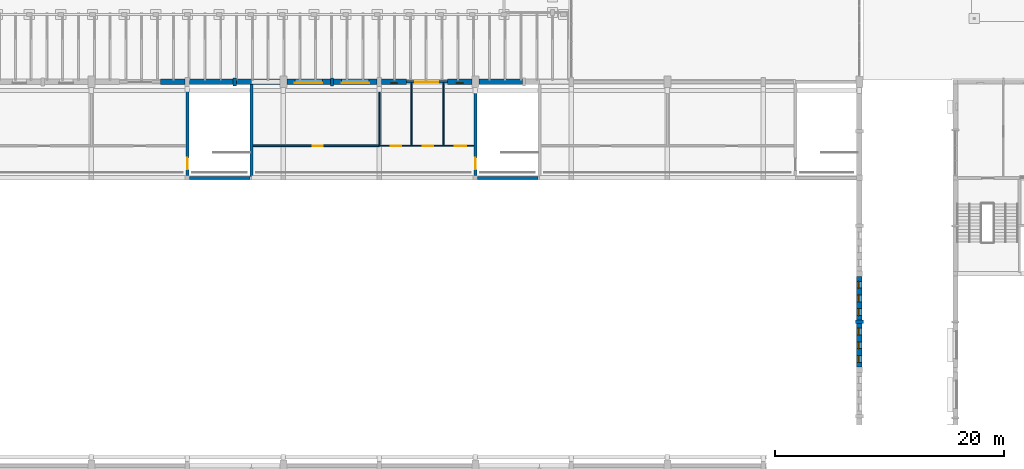
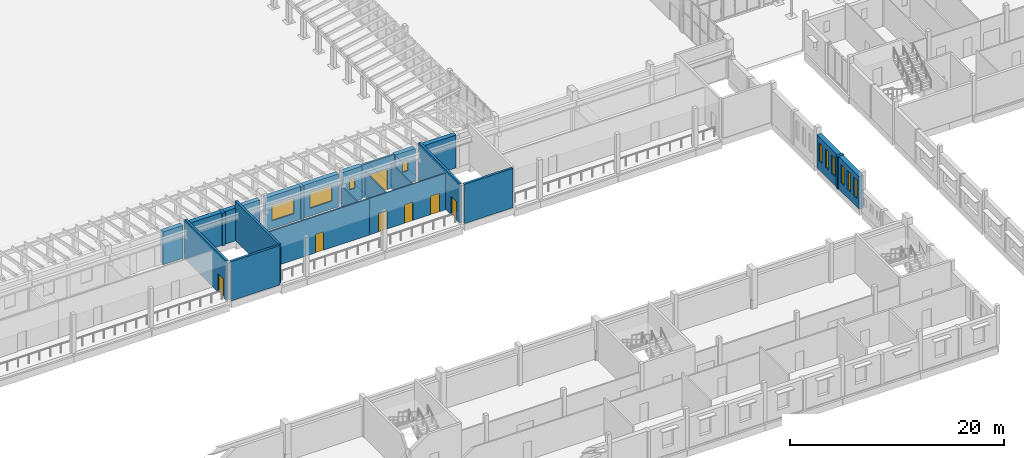
# One storey, part 38 of 60: 24 walls, 10 windows, 7 doors, 17 openings.
"""IFC4 building model written with IfcOpenShell, lengths in metres."""

from ifc_helpers import new_model, si_unit, direction, frame, frame_2d, origin, place, context, subcontext, project, spatial, rectangle, extrude, material, layer, layer_set, type_object, element, fill, save


model = new_model("IFC4")

# Units and contexts
model_context = context("Model", 3, precision=1e-05, world=origin(), true_north=direction((0.0, 1.0)))
body_context = subcontext(model_context, "Body", "Model", "MODEL_VIEW")
ifc_project = project(units=[si_unit("LENGTHUNIT", "METRE"), si_unit("AREAUNIT", "SQUARE_METRE"), si_unit("VOLUMEUNIT", "CUBIC_METRE"), si_unit("PLANEANGLEUNIT", "RADIAN"), si_unit("MASSUNIT", "GRAM", prefix="KILO")], contexts=[model_context])

# Site, building, storey
site_placement = place(None, origin())
site = spatial("IfcSite", under=ifc_project, at=site_placement, CompositionType="ELEMENT")
building_placement = place(site_placement, origin())
building = spatial("IfcBuilding", under=site, at=building_placement, Name="Fescue Hill Polytechnic", CompositionType="ELEMENT")
storey_placement = place(building_placement, frame((0.0, 0.0, 4.5)))
storey = spatial("IfcBuildingStorey", under=building, at=storey_placement, Name="L01", CompositionType="ELEMENT", Elevation=4.5)

# Wall, opening, door
ifc_material_1 = material(Name="Concrete 40 MPa", Category="concrete")
ifc_layer_1 = layer(ifc_material_1, 0.25)
ifc_layer_set_1 = layer_set([ifc_layer_1], Name="Concrete 40 MPa")
wall_type_1 = type_object("IfcWallType", Name="Core wall 250", PredefinedType="SHEAR", material=ifc_layer_set_1)
wall_1_placement = place(storey_placement, frame((58.800048828125, 42.199951171875, 0.0), z_axis=(0.0, 0.0, 1.0), x_axis=(0.0, 1.0, 0.0)))
wall_1 = element("IfcWall", 1, at=wall_1_placement, inside=storey, type_object=wall_type_1, Name="CW-L01-ST-V1-7-31", PredefinedType="SHEAR", context=body_context, shape_type="SweptSolid", body=[
    extrude(rectangle(XDim=7.800048828125, YDim=0.25, at=frame_2d((3.89990234375, 0.0))), origin(), (0.0, 0.0, 1.0), 4.5),
])
opening_1_placement = place(wall_1_placement, frame((0.550048828125, 0.0, 0.0)))
opening_1 = element("IfcOpeningElement", 2, at=opening_1_placement, cuts=wall_1, Name="Opening D1083", PredefinedType="OPENING", context=body_context, shape_type="SweptSolid", body=[
    extrude(rectangle(XDim=1.0, YDim=2.10009765625, at=frame_2d((0.5, 1.050048828125))), frame((0.0, 0.135009765625, 0.0), z_axis=(0.0, -1.0, 0.0), x_axis=(1.0, 0.0, 0.0)), (0.0, 0.0, 1.0), 0.27001953125),
])
ifc_material_2 = material(Name="Steel fire door", Category="steel")
door_type_1 = type_object("IfcDoorType", Name="Door single swing 1000x2100 stair fire rated", OperationType="NOTDEFINED", PredefinedType="DOOR", material=ifc_material_2)
door_1_placement = place(opening_1_placement, origin())
door_1 = element("IfcDoor", 3, at=door_1_placement, inside=storey, type_object=door_type_1, Name="L01 ST-V1-7 stair door", OperationType="SINGLE_SWING_LEFT", OverallHeight=2.10009765625, OverallWidth=1.0, PredefinedType="DOOR", context=body_context, shape_type="SweptSolid", body=[
    extrude(rectangle(XDim=1.0, YDim=2.10009765625, at=frame_2d((0.5, 1.050048828125))), frame((0.0, 0.02490234375, 0.0), z_axis=(0.0, -1.0, 0.0), x_axis=(1.0, 0.0, 0.0)), (0.0, 0.0, 1.0), 0.050048828125),
])
fill(opening_1, door_1)

# Wall
wall_2_placement = place(storey_placement, frame((64.39990234375, 42.125, 0.0), z_axis=(0.0, 0.0, 1.0), x_axis=(0.0, 1.0, 0.0)))
element("IfcWall", 4, at=wall_2_placement, inside=storey, type_object=wall_type_1, Name="CW-L01-ST-V1-7-41", PredefinedType="SHEAR", context=body_context, shape_type="SweptSolid", body=[
    extrude(rectangle(XDim=8.14990234375, YDim=0.25, at=frame_2d((4.074951171875, 0.0))), origin(), (0.0, 0.0, 1.0), 4.5),
])

# Wall, opening, door
wall_3_placement = place(storey_placement, frame((84.0, 42.199951171875, 0.0), z_axis=(0.0, 0.0, 1.0), x_axis=(0.0, 1.0, 0.0)))
wall_3 = element("IfcWall", 5, at=wall_3_placement, inside=storey, type_object=wall_type_1, Name="CW-L01-ST-V1-8-31", PredefinedType="SHEAR", context=body_context, shape_type="SweptSolid", body=[
    extrude(rectangle(XDim=7.699951171875, YDim=0.25, at=frame_2d((3.85009765625, 0.0))), origin(), (0.0, 0.0, 1.0), 4.5),
])
opening_2_placement = place(wall_3_placement, frame((0.550048828125, 0.0, 0.0)))
opening_2 = element("IfcOpeningElement", 6, at=opening_2_placement, cuts=wall_3, Name="Opening D1084", PredefinedType="OPENING", context=body_context, shape_type="SweptSolid", body=[
    extrude(rectangle(XDim=1.0, YDim=2.10009765625, at=frame_2d((0.5, 1.050048828125))), frame((0.0, 0.135009765625, 0.0), z_axis=(0.0, -1.0, 0.0), x_axis=(1.0, 0.0, 0.0)), (0.0, 0.0, 1.0), 0.27001953125),
])
door_2_placement = place(opening_2_placement, origin())
door_2 = element("IfcDoor", 7, at=door_2_placement, inside=storey, type_object=door_type_1, Name="L01 ST-V1-8 stair door", OperationType="SINGLE_SWING_RIGHT", OverallHeight=2.10009765625, OverallWidth=1.0, PredefinedType="DOOR", context=body_context, shape_type="SweptSolid", body=[
    extrude(rectangle(XDim=1.0, YDim=2.10009765625, at=frame_2d((0.5, 1.050048828125))), frame((0.0, 0.02490234375, 0.0), z_axis=(0.0, -1.0, 0.0), x_axis=(1.0, 0.0, 0.0)), (0.0, 0.0, 1.0), 0.050048828125),
])
fill(opening_2, door_2)

# Walls
wall_4_placement = place(storey_placement, frame((59.0, 42.0, 0.0), z_axis=(0.0, 0.0, 1.0), x_axis=(1.0, 0.0, 0.0)))
element("IfcWall", 8, at=wall_4_placement, inside=storey, type_object=wall_type_1, Name="SCW-L01-ST-V1-7-s1", PredefinedType="SHEAR", context=body_context, shape_type="SweptSolid", body=[
    extrude(rectangle(XDim=5.27490234375, YDim=0.25, at=frame_2d((2.637451171875, 0.0))), origin(), (0.0, 0.0, 1.0), 4.5),
])
wall_5_placement = place(storey_placement, frame((84.199951171875, 42.0, 0.0), z_axis=(0.0, 0.0, 1.0), x_axis=(1.0, 0.0, 0.0)))
element("IfcWall", 9, at=wall_5_placement, inside=storey, type_object=wall_type_1, Name="SCW-L01-ST-V1-8-s1", PredefinedType="SHEAR", context=body_context, shape_type="SweptSolid", body=[
    extrude(rectangle(XDim=5.275146484375, YDim=0.25, at=frame_2d((2.6376953125, 0.0))), origin(), (0.0, 0.0, 1.0), 4.5),
])

# Wall, opening, door
ifc_material_3 = material(Name="Gypsum board partition")
ifc_layer_2 = layer(ifc_material_3, 0.14990234375)
ifc_layer_set_2 = layer_set([ifc_layer_2], Name="Gypsum board partition")
wall_type_2 = type_object("IfcWallType", Name="Corridor wall 150 EI 45", PredefinedType="PARTITIONING", material=ifc_layer_set_2)
wall_6_placement = place(storey_placement, frame((64.550048828125, 44.800048828125, 0.0), z_axis=(0.0, 0.0, 1.0), x_axis=(1.0, 0.0, 0.0)))
wall_6 = element("IfcWall", 10, at=wall_6_placement, inside=storey, type_object=wall_type_2, Name="IW-L01-030", PredefinedType="PARTITIONING", context=body_context, shape_type="SweptSolid", body=[
    extrude(rectangle(XDim=11.050048828125, YDim=0.14990234375, at=frame_2d((5.52490234375, 0.0))), origin(), (0.0, 0.0, 1.0), 4.14990234375),
])
opening_3_placement = place(wall_6_placement, frame((5.199951171875, 0.0, 0.0)))
opening_3 = element("IfcOpeningElement", 11, at=opening_3_placement, cuts=wall_6, Name="Opening D1039", PredefinedType="OPENING", context=body_context, shape_type="SweptSolid", body=[
    extrude(rectangle(XDim=0.89990234375, YDim=2.10009765625, at=frame_2d((0.449951171875, 1.050048828125))), frame((0.0, 0.0849609375, 0.0), z_axis=(0.0, -1.0, 0.0), x_axis=(1.0, 0.0, 0.0)), (0.0, 0.0, 1.0), 0.169921875),
])
ifc_material_4 = material(Name="Timber", Category="wood")
door_type_2 = type_object("IfcDoorType", Name="Door single swing 900x2100 FD30S", OperationType="SINGLE_SWING_LEFT", PredefinedType="DOOR", material=ifc_material_4)
door_3_placement = place(opening_3_placement, origin())
door_3 = element("IfcDoor", 12, at=door_3_placement, inside=storey, type_object=door_type_2, Name="Door D1039", OperationType="SINGLE_SWING_RIGHT", OverallHeight=2.10009765625, OverallWidth=0.89990234375, PredefinedType="DOOR", context=body_context, shape_type="SweptSolid", body=[
    extrude(rectangle(XDim=0.89990234375, YDim=2.10009765625, at=frame_2d((0.449951171875, 1.050048828125))), frame((0.0, 0.02490234375, 0.0), z_axis=(0.0, -1.0, 0.0), x_axis=(1.0, 0.0, 0.0)), (0.0, 0.0, 1.0), 0.050048828125),
])
fill(opening_3, door_3)

ifc_material_5 = material(Name="Glass", Category="glass")
ifc_layer_3 = layer(ifc_material_5, 0.199951171875)
ifc_layer_set_3 = layer_set([ifc_layer_3], Name="Glass")
wall_type_3 = type_object("IfcWallType", Name="Entrance frame wall metal and glass 200", PredefinedType="SOLIDWALL", material=ifc_layer_set_3)
wall_7_placement = place(storey_placement, frame((81.550048828125, 50.39990234375, 0.0), z_axis=(0.0, 0.0, 1.0), x_axis=(-1.0, 0.0, 0.0)))
wall_7 = element("IfcWall", 13, at=wall_7_placement, inside=storey, type_object=wall_type_3, Name="EW-L01-V1-58", PredefinedType="SOLIDWALL", context=body_context, shape_type="SweptSolid", body=[
    extrude(rectangle(XDim=3.60009765625, YDim=0.199951171875, at=frame_2d((1.800048828125, 0.0))), origin(), (0.0, 0.0, 1.0), 3.75),
])
opening_4_placement = place(wall_7_placement, frame((0.800048828125, 0.0, 0.0)))
opening_4 = element("IfcOpeningElement", 14, at=opening_4_placement, cuts=wall_7, Name="Opening D1001", PredefinedType="OPENING", context=body_context, shape_type="SweptSolid", body=[
    extrude(rectangle(XDim=2.0, YDim=2.39990234375, at=frame_2d((1.0, 1.199951171875))), frame((0.0, 0.10986328125, 0.0), z_axis=(0.0, -1.0, 0.0), x_axis=(1.0, 0.0, 0.0)), (0.0, 0.0, 1.0), 0.219970703125),
])
ifc_material_6 = material(Name="Aluminium and glass", Category="aluminium")
door_type_3 = type_object("IfcDoorType", Name="Door entrance glazed double 2000x2400", OperationType="DOUBLE_DOOR_SINGLE_SWING", PredefinedType="DOOR", material=ifc_material_6)
door_4_placement = place(opening_4_placement, origin())
door_4 = element("IfcDoor", 15, at=door_4_placement, inside=storey, type_object=door_type_3, Name="Door D1001", OperationType="SINGLE_SWING_LEFT", OverallHeight=2.39990234375, OverallWidth=2.0, PredefinedType="DOOR", context=body_context, shape_type="SweptSolid", body=[
    extrude(rectangle(XDim=2.0, YDim=2.39990234375, at=frame_2d((1.0, 1.199951171875))), frame((0.0, 0.02490234375, 0.0), z_axis=(0.0, -1.0, 0.0), x_axis=(1.0, 0.0, 0.0)), (0.0, 0.0, 1.0), 0.050048828125),
])
fill(opening_4, door_4)

# Wall, opening, window
ifc_material_7 = material(Name="Clay brick masonry", Category="masonry")
ifc_layer_4 = layer(ifc_material_7, 0.47998046875)
ifc_layer_set_4 = layer_set([ifc_layer_4], Name="Clay brick masonry")
wall_type_4 = type_object("IfcWallType", Name="Exterior wall engineering brick cavity 480", PredefinedType="SOLIDWALL", material=ifc_layer_set_4)
wall_8_placement = place(storey_placement, frame((83.699951171875, 50.39990234375, 0.0), z_axis=(0.0, 0.0, 1.0), x_axis=(-1.0, 0.0, 0.0)))
wall_8 = element("IfcWall", 16, at=wall_8_placement, inside=storey, type_object=wall_type_4, Name="EW-L01-V1-57", PredefinedType="SOLIDWALL", context=body_context, shape_type="SweptSolid", body=[
    extrude(rectangle(XDim=2.14990234375, YDim=0.47998046875, at=frame_2d((1.074951171875, 0.0))), origin(), (0.0, 0.0, 1.0), 3.75),
])
opening_5_placement = place(wall_8_placement, frame((0.77490234375, 0.0, 1.5)))
opening_5 = element("IfcOpeningElement", 17, at=opening_5_placement, cuts=wall_8, Name="Opening W11", PredefinedType="OPENING", context=body_context, shape_type="SweptSolid", body=[
    extrude(rectangle(XDim=0.60009765625, YDim=1.199951171875, at=frame_2d((0.300048828125, 0.60009765625))), frame((0.0, 0.25, 0.0), z_axis=(0.0, -1.0, 0.0), x_axis=(1.0, 0.0, 0.0)), (0.0, 0.0, 1.0), 0.5),
])
ifc_material_8 = material(Name="Powder-coated aluminium and glass", Category="aluminium")
window_type_1 = type_object("IfcWindowType", Name="Window WC high-level 600x1200", PartitioningType="SINGLE_PANEL", PredefinedType="WINDOW", material=ifc_material_8)
window_1_placement = place(opening_5_placement, origin())
window_1 = element("IfcWindow", 18, at=window_1_placement, inside=storey, type_object=window_type_1, Name="WN-L01-V1-29", OverallHeight=1.199951171875, OverallWidth=0.60009765625, PartitioningType="SINGLE_PANEL", PredefinedType="WINDOW", context=body_context, shape_type="SweptSolid", body=[
    extrude(rectangle(XDim=0.60009765625, YDim=1.199951171875, at=frame_2d((0.300048828125, 0.60009765625))), frame((0.0, 0.1201171875, 0.0), z_axis=(0.0, -1.0, 0.0), x_axis=(1.0, 0.0, 0.0)), (0.0, 0.0, 1.0), 0.06005859375),
])
fill(opening_5, window_1)

wall_9_placement = place(storey_placement, frame((77.949951171875, 50.39990234375, 0.0), z_axis=(0.0, 0.0, 1.0), x_axis=(-1.0, 0.0, 0.0)))
wall_9 = element("IfcWall", 19, at=wall_9_placement, inside=storey, type_object=wall_type_4, Name="EW-L01-V1-59", PredefinedType="SOLIDWALL", context=body_context, shape_type="SweptSolid", body=[
    extrude(rectangle(XDim=2.14990234375, YDim=0.47998046875, at=frame_2d((1.074951171875, 0.0))), origin(), (0.0, 0.0, 1.0), 3.75),
])
opening_6_placement = place(wall_9_placement, frame((0.77490234375, 0.0, 1.5)))
opening_6 = element("IfcOpeningElement", 20, at=opening_6_placement, cuts=wall_9, Name="Opening W11", PredefinedType="OPENING", context=body_context, shape_type="SweptSolid", body=[
    extrude(rectangle(XDim=0.60009765625, YDim=1.199951171875, at=frame_2d((0.300048828125, 0.60009765625))), frame((0.0, 0.25, 0.0), z_axis=(0.0, -1.0, 0.0), x_axis=(1.0, 0.0, 0.0)), (0.0, 0.0, 1.0), 0.5),
])
window_2_placement = place(opening_6_placement, origin())
window_2 = element("IfcWindow", 21, at=window_2_placement, inside=storey, type_object=window_type_1, Name="WN-L01-V1-30", OverallHeight=1.199951171875, OverallWidth=0.60009765625, PartitioningType="SINGLE_PANEL", PredefinedType="WINDOW", context=body_context, shape_type="SweptSolid", body=[
    extrude(rectangle(XDim=0.60009765625, YDim=1.199951171875, at=frame_2d((0.300048828125, 0.60009765625))), frame((0.0, 0.1201171875, 0.0), z_axis=(0.0, -1.0, 0.0), x_axis=(1.0, 0.0, 0.0)), (0.0, 0.0, 1.0), 0.06005859375),
])
fill(opening_6, window_2)

wall_10_placement = place(storey_placement, frame((75.39990234375, 50.39990234375, 0.0), z_axis=(0.0, 0.0, 1.0), x_axis=(-1.0, 0.0, 0.0)))
wall_10 = element("IfcWall", 22, at=wall_10_placement, inside=storey, type_object=wall_type_4, Name="EW-L01-V1-60", PredefinedType="SOLIDWALL", context=body_context, shape_type="SweptSolid", body=[
    extrude(rectangle(XDim=3.7998046875, YDim=0.47998046875, at=frame_2d((1.89990234375, 0.0))), origin(), (0.0, 0.0, 1.0), 3.75),
])
opening_7_placement = place(wall_10_placement, frame((0.699951171875, 0.0, 0.89990234375)))
opening_7 = element("IfcOpeningElement", 23, at=opening_7_placement, cuts=wall_10, Name="Opening W9", PredefinedType="OPENING", context=body_context, shape_type="SweptSolid", body=[
    extrude(rectangle(XDim=2.39990234375, YDim=1.800048828125, at=frame_2d((1.199951171875, 0.89990234375))), frame((0.0, 0.25, 0.0), z_axis=(0.0, -1.0, 0.0), x_axis=(1.0, 0.0, 0.0)), (0.0, 0.0, 1.0), 0.5),
])
window_type_2 = type_object("IfcWindowType", Name="Window gallery 2400x1800", PartitioningType="TRIPLE_PANEL_VERTICAL", PredefinedType="WINDOW", material=ifc_material_8)
window_3_placement = place(opening_7_placement, origin())
window_3 = element("IfcWindow", 24, at=window_3_placement, inside=storey, type_object=window_type_2, Name="WN-L01-V1-31", OverallHeight=1.800048828125, OverallWidth=2.39990234375, PartitioningType="SINGLE_PANEL", PredefinedType="WINDOW", context=body_context, shape_type="SweptSolid", body=[
    extrude(rectangle(XDim=2.39990234375, YDim=1.800048828125, at=frame_2d((1.199951171875, 0.89990234375))), frame((0.0, 0.1201171875, 0.0), z_axis=(0.0, -1.0, 0.0), x_axis=(1.0, 0.0, 0.0)), (0.0, 0.0, 1.0), 0.06005859375),
])
fill(opening_7, window_3)

wall_11_placement = place(storey_placement, frame((71.300048828125, 50.39990234375, 0.0), z_axis=(0.0, 0.0, 1.0), x_axis=(-1.0, 0.0, 0.0)))
wall_11 = element("IfcWall", 25, at=wall_11_placement, inside=storey, type_object=wall_type_4, Name="EW-L01-V1-61", PredefinedType="SOLIDWALL", context=body_context, shape_type="SweptSolid", body=[
    extrude(rectangle(XDim=3.800048828125, YDim=0.47998046875, at=frame_2d((1.89990234375, 0.0))), origin(), (0.0, 0.0, 1.0), 3.75),
])
opening_8_placement = place(wall_11_placement, frame((0.699951171875, 0.0, 0.89990234375)))
opening_8 = element("IfcOpeningElement", 26, at=opening_8_placement, cuts=wall_11, Name="Opening W9", PredefinedType="OPENING", context=body_context, shape_type="SweptSolid", body=[
    extrude(rectangle(XDim=2.39990234375, YDim=1.800048828125, at=frame_2d((1.199951171875, 0.89990234375))), frame((0.0, 0.25, 0.0), z_axis=(0.0, -1.0, 0.0), x_axis=(1.0, 0.0, 0.0)), (0.0, 0.0, 1.0), 0.5),
])
window_4_placement = place(opening_8_placement, origin())
window_4 = element("IfcWindow", 27, at=window_4_placement, inside=storey, type_object=window_type_2, Name="WN-L01-V1-32", OverallHeight=1.800048828125, OverallWidth=2.39990234375, PartitioningType="SINGLE_PANEL", PredefinedType="WINDOW", context=body_context, shape_type="SweptSolid", body=[
    extrude(rectangle(XDim=2.39990234375, YDim=1.800048828125, at=frame_2d((1.199951171875, 0.89990234375))), frame((0.0, 0.1201171875, 0.0), z_axis=(0.0, -1.0, 0.0), x_axis=(1.0, 0.0, 0.0)), (0.0, 0.0, 1.0), 0.06005859375),
])
fill(opening_8, window_4)

# Wall
wall_12_placement = place(storey_placement, frame((58.60009765625, 50.39990234375, 0.0), z_axis=(0.0, 0.0, 1.0), x_axis=(-1.0, 0.0, 0.0)))
element("IfcWall", 28, at=wall_12_placement, inside=storey, type_object=wall_type_4, Name="EW-L01-V1-64", PredefinedType="SOLIDWALL", context=body_context, shape_type="SweptSolid", body=[
    extrude(rectangle(XDim=2.150146484375, YDim=0.47998046875, at=frame_2d((1.0751953125, 0.0))), origin(), (0.0, 0.0, 1.0), 3.75),
])

# Wall, openings, windows
wall_13_placement = place(storey_placement, frame((117.60009765625, 25.449951171875, 0.0), z_axis=(0.0, 0.0, 1.0), x_axis=(0.0, 1.0, 0.0)))
wall_13 = element("IfcWall", 29, at=wall_13_placement, inside=storey, type_object=wall_type_4, Name="EW-L01-V1-81", PredefinedType="SOLIDWALL", context=body_context, shape_type="SweptSolid", body=[
    extrude(rectangle(XDim=3.800048828125, YDim=0.47998046875, at=frame_2d((1.89990234375, 0.0))), origin(), (0.0, 0.0, 1.0), 3.75),
])
opening_9_placement = place(wall_13_placement, frame((0.39990234375, 0.0, 1.0)))
opening_9 = element("IfcOpeningElement", 30, at=opening_9_placement, cuts=wall_13, Name="Opening W6", PredefinedType="OPENING", context=body_context, shape_type="SweptSolid", body=[
    extrude(rectangle(XDim=0.60009765625, YDim=2.10009765625, at=frame_2d((0.300048828125, 1.050048828125))), frame((0.0, 0.25, 0.0), z_axis=(0.0, -1.0, 0.0), x_axis=(1.0, 0.0, 0.0)), (0.0, 0.0, 1.0), 0.5),
])
opening_10_placement = place(wall_13_placement, frame((1.60009765625, 0.0, 1.0)))
opening_10 = element("IfcOpeningElement", 31, at=opening_10_placement, cuts=wall_13, Name="Opening W6", PredefinedType="OPENING", context=body_context, shape_type="SweptSolid", body=[
    extrude(rectangle(XDim=0.60009765625, YDim=2.10009765625, at=frame_2d((0.300048828125, 1.050048828125))), frame((0.0, 0.25, 0.0), z_axis=(0.0, -1.0, 0.0), x_axis=(1.0, 0.0, 0.0)), (0.0, 0.0, 1.0), 0.5),
])
opening_11_placement = place(wall_13_placement, frame((2.800048828125, 0.0, 1.0)))
opening_11 = element("IfcOpeningElement", 32, at=opening_11_placement, cuts=wall_13, Name="Opening W6", PredefinedType="OPENING", context=body_context, shape_type="SweptSolid", body=[
    extrude(rectangle(XDim=0.60009765625, YDim=2.10009765625, at=frame_2d((0.300048828125, 1.050048828125))), frame((0.0, 0.25, 0.0), z_axis=(0.0, -1.0, 0.0), x_axis=(1.0, 0.0, 0.0)), (0.0, 0.0, 1.0), 0.5),
])
window_type_3 = type_object("IfcWindowType", Name="Window slot 600x2100", PartitioningType="SINGLE_PANEL", PredefinedType="WINDOW", material=ifc_material_8)
window_5_placement = place(opening_9_placement, origin())
window_5 = element("IfcWindow", 33, at=window_5_placement, inside=storey, type_object=window_type_3, Name="WN-L01-V1-51", OverallHeight=2.10009765625, OverallWidth=0.60009765625, PartitioningType="SINGLE_PANEL", PredefinedType="WINDOW", context=body_context, shape_type="SweptSolid", body=[
    extrude(rectangle(XDim=0.60009765625, YDim=2.10009765625, at=frame_2d((0.300048828125, 1.050048828125))), frame((0.0, 0.1201171875, 0.0), z_axis=(0.0, -1.0, 0.0), x_axis=(1.0, 0.0, 0.0)), (0.0, 0.0, 1.0), 0.06005859375),
])
fill(opening_9, window_5)
window_6_placement = place(opening_10_placement, origin())
window_6 = element("IfcWindow", 34, at=window_6_placement, inside=storey, type_object=window_type_3, Name="WN-L01-V1-52", OverallHeight=2.10009765625, OverallWidth=0.60009765625, PartitioningType="SINGLE_PANEL", PredefinedType="WINDOW", context=body_context, shape_type="SweptSolid", body=[
    extrude(rectangle(XDim=0.60009765625, YDim=2.10009765625, at=frame_2d((0.300048828125, 1.050048828125))), frame((0.0, 0.1201171875, 0.0), z_axis=(0.0, -1.0, 0.0), x_axis=(1.0, 0.0, 0.0)), (0.0, 0.0, 1.0), 0.06005859375),
])
fill(opening_10, window_6)
window_7_placement = place(opening_11_placement, origin())
window_7 = element("IfcWindow", 35, at=window_7_placement, inside=storey, type_object=window_type_3, Name="WN-L01-V1-53", OverallHeight=2.10009765625, OverallWidth=0.60009765625, PartitioningType="SINGLE_PANEL", PredefinedType="WINDOW", context=body_context, shape_type="SweptSolid", body=[
    extrude(rectangle(XDim=0.60009765625, YDim=2.10009765625, at=frame_2d((0.300048828125, 1.050048828125))), frame((0.0, 0.1201171875, 0.0), z_axis=(0.0, -1.0, 0.0), x_axis=(1.0, 0.0, 0.0)), (0.0, 0.0, 1.0), 0.06005859375),
])
fill(opening_11, window_7)

wall_14_placement = place(storey_placement, frame((117.60009765625, 29.550048828125, 0.0), z_axis=(0.0, 0.0, 1.0), x_axis=(0.0, 1.0, 0.0)))
wall_14 = element("IfcWall", 36, at=wall_14_placement, inside=storey, type_object=wall_type_4, Name="EW-L01-V1-82", PredefinedType="SOLIDWALL", context=body_context, shape_type="SweptSolid", body=[
    extrude(rectangle(XDim=3.800048828125, YDim=0.47998046875, at=frame_2d((1.89990234375, 0.0))), origin(), (0.0, 0.0, 1.0), 3.75),
])
opening_12_placement = place(wall_14_placement, frame((0.39990234375, 0.0, 1.0)))
opening_12 = element("IfcOpeningElement", 37, at=opening_12_placement, cuts=wall_14, Name="Opening W6", PredefinedType="OPENING", context=body_context, shape_type="SweptSolid", body=[
    extrude(rectangle(XDim=0.60009765625, YDim=2.10009765625, at=frame_2d((0.300048828125, 1.050048828125))), frame((0.0, 0.25, 0.0), z_axis=(0.0, -1.0, 0.0), x_axis=(1.0, 0.0, 0.0)), (0.0, 0.0, 1.0), 0.5),
])
opening_13_placement = place(wall_14_placement, frame((1.60009765625, 0.0, 1.0)))
opening_13 = element("IfcOpeningElement", 38, at=opening_13_placement, cuts=wall_14, Name="Opening W6", PredefinedType="OPENING", context=body_context, shape_type="SweptSolid", body=[
    extrude(rectangle(XDim=0.60009765625, YDim=2.10009765625, at=frame_2d((0.300048828125, 1.050048828125))), frame((0.0, 0.25, 0.0), z_axis=(0.0, -1.0, 0.0), x_axis=(1.0, 0.0, 0.0)), (0.0, 0.0, 1.0), 0.5),
])
opening_14_placement = place(wall_14_placement, frame((2.800048828125, 0.0, 1.0)))
opening_14 = element("IfcOpeningElement", 39, at=opening_14_placement, cuts=wall_14, Name="Opening W6", PredefinedType="OPENING", context=body_context, shape_type="SweptSolid", body=[
    extrude(rectangle(XDim=0.60009765625, YDim=2.10009765625, at=frame_2d((0.300048828125, 1.050048828125))), frame((0.0, 0.25, 0.0), z_axis=(0.0, -1.0, 0.0), x_axis=(1.0, 0.0, 0.0)), (0.0, 0.0, 1.0), 0.5),
])
window_8_placement = place(opening_12_placement, origin())
window_8 = element("IfcWindow", 40, at=window_8_placement, inside=storey, type_object=window_type_3, Name="WN-L01-V1-54", OverallHeight=2.10009765625, OverallWidth=0.60009765625, PartitioningType="SINGLE_PANEL", PredefinedType="WINDOW", context=body_context, shape_type="SweptSolid", body=[
    extrude(rectangle(XDim=0.60009765625, YDim=2.10009765625, at=frame_2d((0.300048828125, 1.050048828125))), frame((0.0, 0.1201171875, 0.0), z_axis=(0.0, -1.0, 0.0), x_axis=(1.0, 0.0, 0.0)), (0.0, 0.0, 1.0), 0.06005859375),
])
fill(opening_12, window_8)
window_9_placement = place(opening_13_placement, origin())
window_9 = element("IfcWindow", 41, at=window_9_placement, inside=storey, type_object=window_type_3, Name="WN-L01-V1-55", OverallHeight=2.10009765625, OverallWidth=0.60009765625, PartitioningType="SINGLE_PANEL", PredefinedType="WINDOW", context=body_context, shape_type="SweptSolid", body=[
    extrude(rectangle(XDim=0.60009765625, YDim=2.10009765625, at=frame_2d((0.300048828125, 1.050048828125))), frame((0.0, 0.1201171875, 0.0), z_axis=(0.0, -1.0, 0.0), x_axis=(1.0, 0.0, 0.0)), (0.0, 0.0, 1.0), 0.06005859375),
])
fill(opening_13, window_9)
window_10_placement = place(opening_14_placement, origin())
window_10 = element("IfcWindow", 42, at=window_10_placement, inside=storey, type_object=window_type_3, Name="WN-L01-V1-56", OverallHeight=2.10009765625, OverallWidth=0.60009765625, PartitioningType="SINGLE_PANEL", PredefinedType="WINDOW", context=body_context, shape_type="SweptSolid", body=[
    extrude(rectangle(XDim=0.60009765625, YDim=2.10009765625, at=frame_2d((0.300048828125, 1.050048828125))), frame((0.0, 0.1201171875, 0.0), z_axis=(0.0, -1.0, 0.0), x_axis=(1.0, 0.0, 0.0)), (0.0, 0.0, 1.0), 0.06005859375),
])
fill(opening_14, window_10)

# Walls
ifc_layer_5 = layer(ifc_material_7, 0.47998046875)
ifc_layer_set_5 = layer_set([ifc_layer_5], Name="Clay brick masonry")
wall_type_5 = type_object("IfcWallType", Name="Exterior wall engineering brick cavity 480 load-bearing", PredefinedType="SOLIDWALL", material=ifc_layer_set_5)
wall_15_placement = place(storey_placement, frame((88.10009765625, 50.39990234375, 0.0), z_axis=(0.0, 0.0, 1.0), x_axis=(-1.0, 0.0, 0.0)))
element("IfcWall", 43, at=wall_15_placement, inside=storey, type_object=wall_type_5, Name="EW-L01-V1-56", PredefinedType="SOLIDWALL", context=body_context, shape_type="SweptSolid", body=[
    extrude(rectangle(XDim=3.800048828125, YDim=0.47998046875, at=frame_2d((1.89990234375, 0.0))), origin(), (0.0, 0.0, 1.0), 3.75),
])
wall_16_placement = place(storey_placement, frame((66.89990234375, 50.39990234375, 0.0), z_axis=(0.0, 0.0, 1.0), x_axis=(-1.0, 0.0, 0.0)))
element("IfcWall", 44, at=wall_16_placement, inside=storey, type_object=wall_type_5, Name="EW-L01-V1-62", PredefinedType="SOLIDWALL", context=body_context, shape_type="SweptSolid", body=[
    extrude(rectangle(XDim=3.7998046875, YDim=0.47998046875, at=frame_2d((1.89990234375, 0.0))), origin(), (0.0, 0.0, 1.0), 3.75),
])
wall_17_placement = place(storey_placement, frame((62.800048828125, 50.39990234375, 0.0), z_axis=(0.0, 0.0, 1.0), x_axis=(-1.0, 0.0, 0.0)))
element("IfcWall", 45, at=wall_17_placement, inside=storey, type_object=wall_type_5, Name="EW-L01-V1-63", PredefinedType="SOLIDWALL", context=body_context, shape_type="SweptSolid", body=[
    extrude(rectangle(XDim=3.800048828125, YDim=0.47998046875, at=frame_2d((1.89990234375, 0.0))), origin(), (0.0, 0.0, 1.0), 3.75),
])
ifc_layer_6 = layer(ifc_material_1, 0.699951171875)
ifc_layer_set_6 = layer_set([ifc_layer_6], Name="Concrete 40 MPa")
wall_type_6 = type_object("IfcWallType", Name="Fin wall board-marked 300x700", PredefinedType="SOLIDWALL", material=ifc_layer_set_6)
for number, where, z_axis, x_axis, name in (
    (46, (71.60009765625, 50.39990234375, 0.0), (0.0, 0.0, 1.0), (-1.0, 0.0, 0.0), "PR-L01-V1-22"),
    (47, (117.60009765625, 29.25, 0.0), (0.0, 0.0, 1.0), (0.0, 1.0, 0.0), "PR-L01-V1-31"),
):
    element("IfcWall", number, at=place(storey_placement, frame(where, z_axis=z_axis, x_axis=x_axis)), inside=storey, type_object=wall_type_6, Name=name, PredefinedType="SOLIDWALL", context=body_context, shape_type="SweptSolid", body=[
        extrude(rectangle(XDim=0.300048828125, YDim=0.699951171875, at=frame_2d((0.14990234375, 0.0))), origin(), (0.0, 0.0, 1.0), 3.75),
    ])
ifc_layer_7 = layer(ifc_material_1, 0.699951171875)
ifc_layer_set_7 = layer_set([ifc_layer_7], Name="Concrete 40 MPa")
wall_type_7 = type_object("IfcWallType", Name="Fin wall board-marked 300x700 load-bearing", PredefinedType="SOLIDWALL", material=ifc_layer_set_7)
wall_18_placement = place(storey_placement, frame((63.10009765625, 50.39990234375, 0.0), z_axis=(0.0, 0.0, 1.0), x_axis=(-1.0, 0.0, 0.0)))
element("IfcWall", 48, at=wall_18_placement, inside=storey, type_object=wall_type_7, Name="PR-L01-V1-23", PredefinedType="SOLIDWALL", context=body_context, shape_type="SweptSolid", body=[
    extrude(rectangle(XDim=0.300048828125, YDim=0.699951171875, at=frame_2d((0.14990234375, 0.0))), origin(), (0.0, 0.0, 1.0), 3.75),
])

# Wall, openings, doors
ifc_layer_8 = layer(ifc_material_3, 0.10009765625)
ifc_layer_set_8 = layer_set([ifc_layer_8], Name="Gypsum board partition")
wall_type_8 = type_object("IfcWallType", Name="WC partition 100 moisture resistant", PredefinedType="PARTITIONING", material=ifc_layer_set_8)
wall_19_placement = place(storey_placement, frame((75.60009765625, 44.800048828125, 0.0), z_axis=(0.0, 0.0, 1.0), x_axis=(1.0, 0.0, 0.0)))
wall_19 = element("IfcWall", 49, at=wall_19_placement, inside=storey, type_object=wall_type_8, Name="IW-L01-032", PredefinedType="PARTITIONING", context=body_context, shape_type="SweptSolid", body=[
    extrude(rectangle(XDim=8.25, YDim=0.10009765625, at=frame_2d((4.125, 0.0))), origin(), (0.0, 0.0, 1.0), 4.14990234375),
])
opening_15_placement = place(wall_19_placement, frame((1.0, 0.0, 0.0)))
opening_15 = element("IfcOpeningElement", 50, at=opening_15_placement, cuts=wall_19, Name="Opening D1040", PredefinedType="OPENING", context=body_context, shape_type="SweptSolid", body=[
    extrude(rectangle(XDim=0.89990234375, YDim=2.10009765625, at=frame_2d((0.449951171875, 1.050048828125))), frame((0.0, 0.06005859375, 0.0), z_axis=(0.0, -1.0, 0.0), x_axis=(1.0, 0.0, 0.0)), (0.0, 0.0, 1.0), 0.1201171875),
])
opening_16_placement = place(wall_19_placement, frame((3.800048828125, 0.0, 0.0)))
opening_16 = element("IfcOpeningElement", 51, at=opening_16_placement, cuts=wall_19, Name="Opening D1041", PredefinedType="OPENING", context=body_context, shape_type="SweptSolid", body=[
    extrude(rectangle(XDim=0.89990234375, YDim=2.10009765625, at=frame_2d((0.449951171875, 1.050048828125))), frame((0.0, 0.06005859375, 0.0), z_axis=(0.0, -1.0, 0.0), x_axis=(1.0, 0.0, 0.0)), (0.0, 0.0, 1.0), 0.1201171875),
])
opening_17_placement = place(wall_19_placement, frame((6.60009765625, 0.0, 0.0)))
opening_17 = element("IfcOpeningElement", 52, at=opening_17_placement, cuts=wall_19, Name="Opening D1042", PredefinedType="OPENING", context=body_context, shape_type="SweptSolid", body=[
    extrude(rectangle(XDim=1.0, YDim=2.10009765625, at=frame_2d((0.5, 1.050048828125))), frame((0.0, 0.06005859375, 0.0), z_axis=(0.0, -1.0, 0.0), x_axis=(1.0, 0.0, 0.0)), (0.0, 0.0, 1.0), 0.1201171875),
])
door_type_4 = type_object("IfcDoorType", Name="Door single swing 1000x2100 accessible WC", OperationType="SINGLE_SWING_LEFT", PredefinedType="DOOR", material=ifc_material_4)
door_5_placement = place(opening_17_placement, origin())
door_5 = element("IfcDoor", 53, at=door_5_placement, inside=storey, type_object=door_type_4, Name="Door D1042", OperationType="SINGLE_SWING_RIGHT", OverallHeight=2.10009765625, OverallWidth=1.0, PredefinedType="DOOR", context=body_context, shape_type="SweptSolid", body=[
    extrude(rectangle(XDim=1.0, YDim=2.10009765625, at=frame_2d((0.5, 1.050048828125))), frame((0.0, 0.02490234375, 0.0), z_axis=(0.0, -1.0, 0.0), x_axis=(1.0, 0.0, 0.0)), (0.0, 0.0, 1.0), 0.050048828125),
])
fill(opening_17, door_5)
door_type_5 = type_object("IfcDoorType", Name="Door single swing 900x2100 WC", OperationType="SINGLE_SWING_LEFT", PredefinedType="DOOR", material=ifc_material_4)
door_6_placement = place(opening_15_placement, origin())
door_6 = element("IfcDoor", 54, at=door_6_placement, inside=storey, type_object=door_type_5, Name="Door D1040", OperationType="SINGLE_SWING_LEFT", OverallHeight=2.10009765625, OverallWidth=0.89990234375, PredefinedType="DOOR", context=body_context, shape_type="SweptSolid", body=[
    extrude(rectangle(XDim=0.89990234375, YDim=2.10009765625, at=frame_2d((0.449951171875, 1.050048828125))), frame((0.0, 0.02490234375, 0.0), z_axis=(0.0, -1.0, 0.0), x_axis=(1.0, 0.0, 0.0)), (0.0, 0.0, 1.0), 0.050048828125),
])
fill(opening_15, door_6)
door_7_placement = place(opening_16_placement, origin())
door_7 = element("IfcDoor", 55, at=door_7_placement, inside=storey, type_object=door_type_5, Name="Door D1041", OperationType="SINGLE_SWING_RIGHT", OverallHeight=2.10009765625, OverallWidth=0.89990234375, PredefinedType="DOOR", context=body_context, shape_type="SweptSolid", body=[
    extrude(rectangle(XDim=0.89990234375, YDim=2.10009765625, at=frame_2d((0.449951171875, 1.050048828125))), frame((0.0, 0.02490234375, 0.0), z_axis=(0.0, -1.0, 0.0), x_axis=(1.0, 0.0, 0.0)), (0.0, 0.0, 1.0), 0.050048828125),
])
fill(opening_16, door_7)

# Walls
wall_20_placement = place(storey_placement, frame((75.60009765625, 44.800048828125, 0.0), z_axis=(0.0, 0.0, 1.0), x_axis=(0.0, 1.0, 0.0)))
element("IfcWall", 56, at=wall_20_placement, inside=storey, type_object=wall_type_8, Name="IW-L01-086", PredefinedType="PARTITIONING", context=body_context, shape_type="SweptSolid", body=[
    extrude(rectangle(XDim=5.199951171875, YDim=0.10009765625, at=frame_2d((2.60009765625, 0.0))), origin(), (0.0, 0.0, 1.0), 2.489013671875),
])
for number, where, z_axis, x_axis, name in (
    (57, (78.39990234375, 44.800048828125, 0.0), (0.0, 0.0, 1.0), (0.0, 1.0, 0.0), "IW-L01-088"),
    (58, (81.199951171875, 44.800048828125, 0.0), (0.0, 0.0, 1.0), (0.0, 1.0, 0.0), "IW-L01-089"),
):
    element("IfcWall", number, at=place(storey_placement, frame(where, z_axis=z_axis, x_axis=x_axis)), inside=storey, type_object=wall_type_8, Name=name, PredefinedType="PARTITIONING", context=body_context, shape_type="SweptSolid", body=[
        extrude(rectangle(XDim=5.5, YDim=0.10009765625, at=frame_2d((2.75, 0.0))), origin(), (0.0, 0.0, 1.0), 2.888916015625),
    ])

save(model, "model.ifc")
